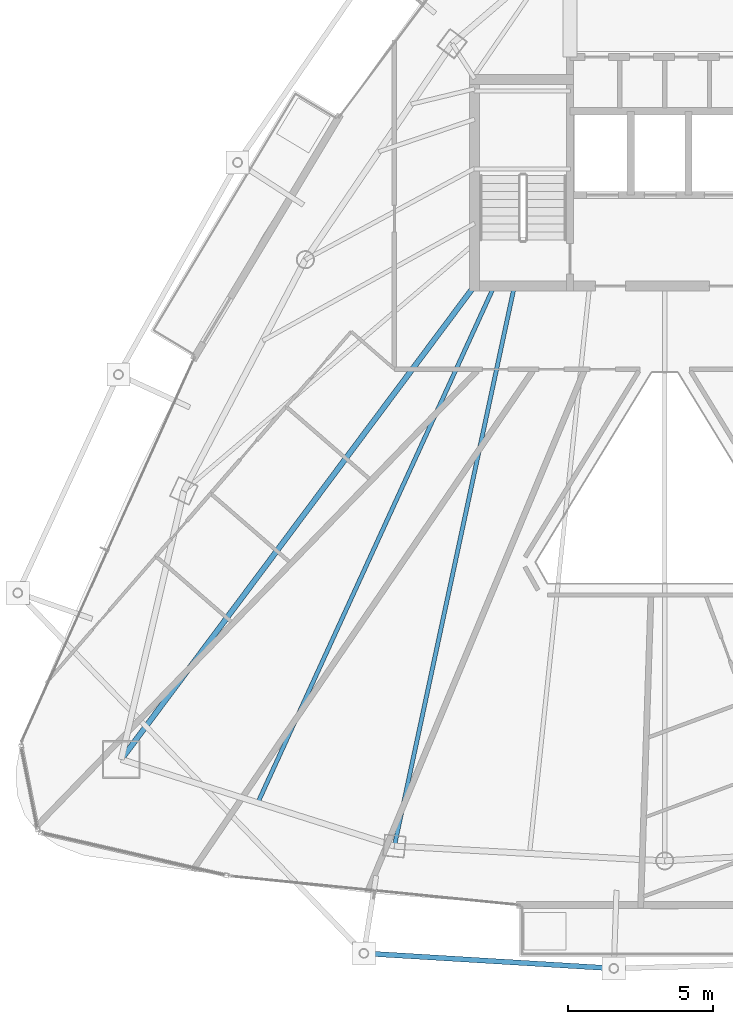
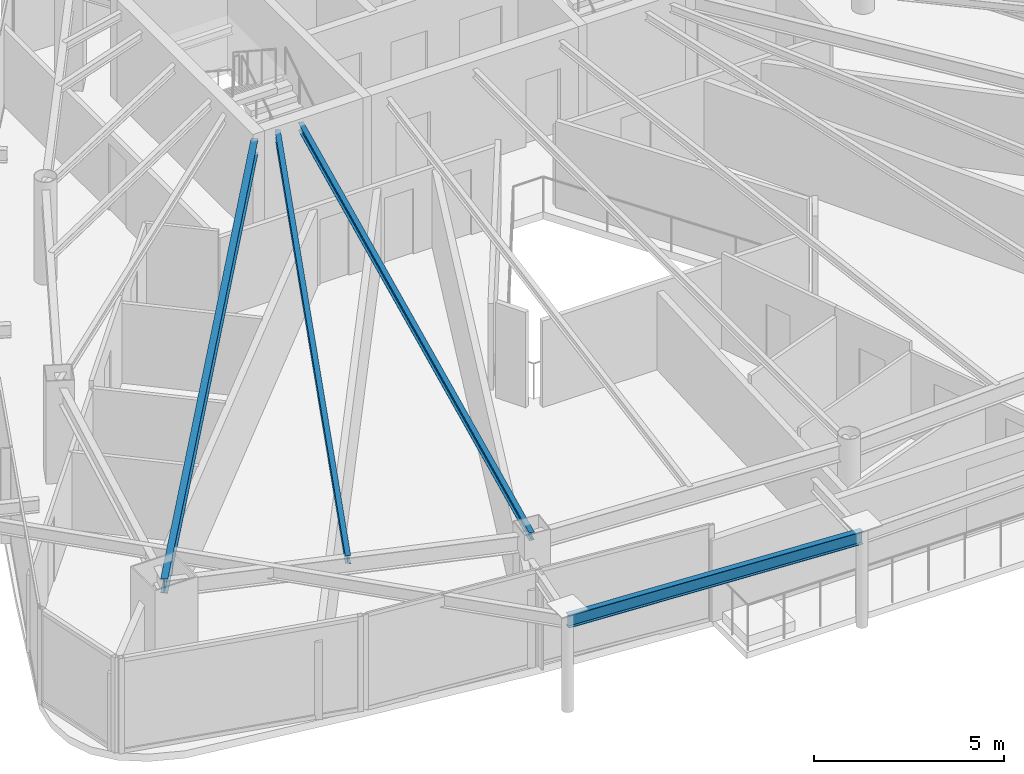
# One storey, part 6 of 29: 4 beams.
"""IFC4 building model written with IfcOpenShell, lengths in metres."""

from ifc_helpers import new_model, si_unit, direction, frame, origin, origin_2d, place, context, subcontext, project, spatial, i_section, extrude, material, material_profile, profile_set, type_object, element, save


model = new_model("IFC4")

# Units and contexts
model_context = context("Model", 3, precision=1e-05, world=origin(), true_north=direction((0.0, 1.0)))
body_context = subcontext(model_context, "Body", "Model", "MODEL_VIEW")
ifc_project = project(units=[si_unit("LENGTHUNIT", "METRE"), si_unit("AREAUNIT", "SQUARE_METRE"), si_unit("VOLUMEUNIT", "CUBIC_METRE"), si_unit("PLANEANGLEUNIT", "RADIAN"), si_unit("MASSUNIT", "GRAM", prefix="KILO")], contexts=[model_context])

# Site, building, storey
site_placement = place(None, origin())
site = spatial("IfcSite", under=ifc_project, at=site_placement, CompositionType="ELEMENT")
building_placement = place(site_placement, origin())
building = spatial("IfcBuilding", under=site, at=building_placement, Name="Orvanel Arch Residences", CompositionType="ELEMENT")
storey_placement = place(building_placement, frame((0.0, 0.0, 246.949951171875)))
storey = spatial("IfcBuildingStorey", under=building, at=storey_placement, Name="L70", CompositionType="ELEMENT", Elevation=246.949951171875)

# Beams
ifc_material = material(Name="Structural steel AS/NZS 3679.1 Grade 300 (300 MPa)", Category="steel")
ifc_material_profile_1 = material_profile(ifc_material, i_section(OverallWidth=0.19091796875, OverallDepth=0.4599609375, WebThickness=0.010009765625, FlangeThickness=0.01611328125, at=origin_2d()), Name="460UB82.1")
ifc_profile_set_1 = profile_set([ifc_material_profile_1], Name="Structural steel AS/NZS 3679.1 Grade 300 (300 MPa)")
beam_type_1 = type_object("IfcBeamType", Name="BG-460UB", PredefinedType="BEAM", material=ifc_profile_set_1)
beam_1_placement = place(storey_placement, frame((26.375, 26.675048828125, 2.830078125), z_axis=(-0.597893733742, -0.801575375839, 0.0), x_axis=(0.801575375839, -0.597893733742, 0.0)))
element("IfcBeam", 1, at=beam_1_placement, inside=storey, type_object=beam_type_1, Name="L70 South-West Radial Girder", PredefinedType="BEAM", context=body_context, shape_type="SweptSolid", body=[
    extrude(i_section(OverallWidth=0.19091796875, OverallDepth=0.4599609375, WebThickness=0.010009765625, FlangeThickness=0.01611328125, at=origin_2d()), origin(), (0.0, 0.0, 1.0), 20.36474609375),
])
ifc_material_profile_2 = material_profile(ifc_material, i_section(OverallWidth=0.14599609375, OverallDepth=0.251953125, WebThickness=0.006103515625, FlangeThickness=0.008544921875, at=origin_2d()), Name="250UB31.4")
ifc_profile_set_2 = profile_set([ifc_material_profile_2], Name="Structural steel AS/NZS 3679.1 Grade 300 (300 MPa)")
beam_type_2 = type_object("IfcBeamType", Name="BJ-250UB", PredefinedType="JOIST", material=ifc_profile_set_2)
beam_2_placement = place(storey_placement, frame((27.800048828125, 26.72509765625, 2.93408203125), z_axis=(-0.209547604985, -0.977798446125, 0.0), x_axis=(0.977798446125, -0.209547604985, 0.0)))
element("IfcBeam", 2, at=beam_2_placement, inside=storey, type_object=beam_type_2, Name="L70 SW Wing Floor Joist", PredefinedType="JOIST", context=body_context, shape_type="SweptSolid", body=[
    extrude(i_section(OverallWidth=0.14599609375, OverallDepth=0.251953125, WebThickness=0.006103515625, FlangeThickness=0.008544921875, at=origin_2d()), origin(), (0.0, 0.0, 1.0), 19.809814453125),
])
beam_3_placement = place(storey_placement, frame((27.10009765625, 26.72509765625, 2.93408203125), z_axis=(-0.416009574066, -0.909360233508, 0.0), x_axis=(0.909360233508, -0.416009574066, 0.0)))
element("IfcBeam", 3, at=beam_3_placement, inside=storey, type_object=beam_type_2, Name="L70 JADD1 Wing Floor Joist", PredefinedType="JOIST", context=body_context, shape_type="SweptSolid", body=[
    extrude(i_section(OverallWidth=0.14599609375, OverallDepth=0.251953125, WebThickness=0.006103515625, FlangeThickness=0.008544921875, at=origin_2d()), origin(), (0.0, 0.0, 1.0), 19.653564453125),
])
ifc_material_profile_3 = material_profile(ifc_material, i_section(OverallWidth=0.177978515625, OverallDepth=0.406005859375, WebThickness=0.0078125, FlangeThickness=0.0126953125, at=origin_2d()), Name="410UB59.7")
ifc_profile_set_3 = profile_set([ifc_material_profile_3], Name="Structural steel AS/NZS 3679.1 Grade 300 (300 MPa)")
beam_type_3 = type_object("IfcBeamType", Name="OB-410UB-EXT", PredefinedType="SPANDREL", material=ifc_profile_set_3)
beam_4_placement = place(storey_placement, frame((22.592041015625, 3.64599609375, 2.85693359375), z_axis=(0.998176634645, -0.060360633262, 0.0), x_axis=(0.060360633262, 0.998176634645, 0.0)))
element("IfcBeam", 4, at=beam_4_placement, inside=storey, type_object=beam_type_3, Name="L70 Outer Perimeter Floor Ring Beam 05", PredefinedType="SPANDREL", context=body_context, shape_type="SweptSolid", body=[
    extrude(i_section(OverallWidth=0.177978515625, OverallDepth=0.406005859375, WebThickness=0.0078125, FlangeThickness=0.0126953125, at=origin_2d()), origin(), (0.0, 0.0, 1.0), 8.663818359375),
])

save(model, "model.ifc")
